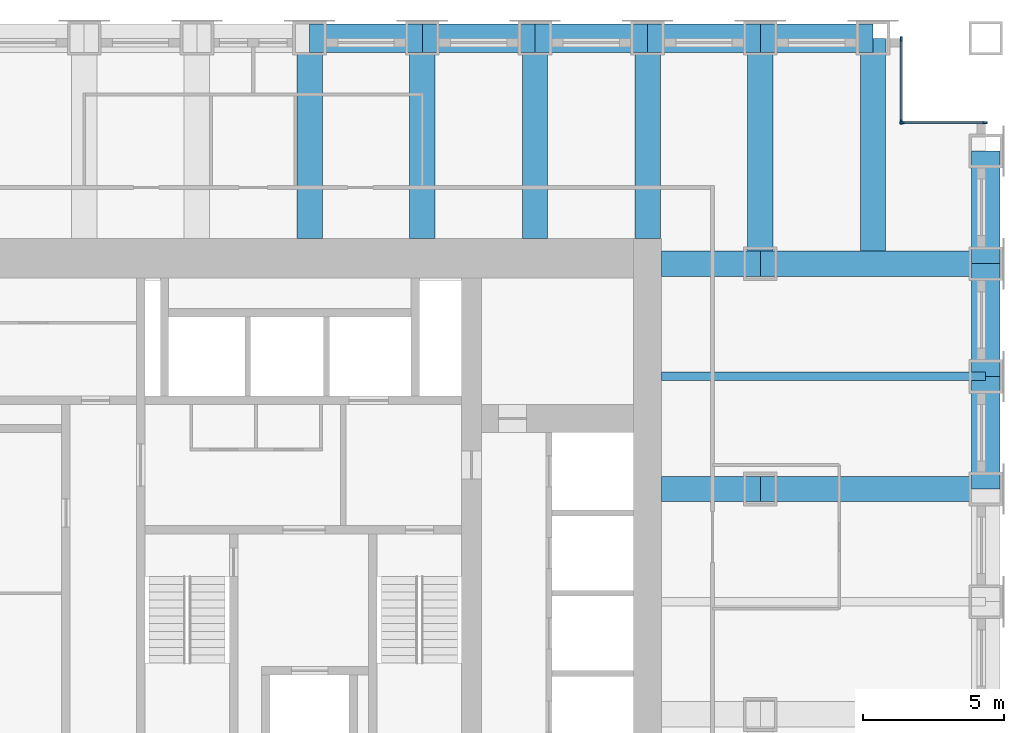
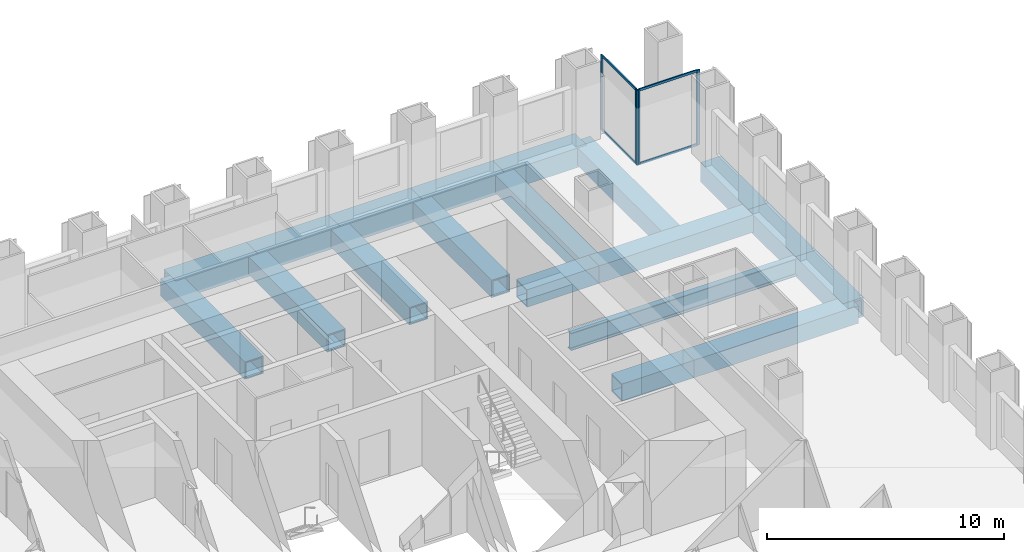
# One storey, part 7 of 15: 19 beams, 8 members, 2 elements without a shape of their own.
"""IFC4 building model written with IfcOpenShell, lengths in metres."""

from ifc_helpers import new_model, si_unit, direction, frame, origin, origin_2d, place, context, subcontext, project, spatial, rectangle, hollow_rectangle, i_section, extrude, material, material_profile, profile_set, type_object, element, aggregate, save


model = new_model("IFC4")

# Units and contexts
model_context = context("Model", 3, precision=1e-05, world=origin(), true_north=direction((0.0, 1.0)))
body_context = subcontext(model_context, "Body", "Model", "MODEL_VIEW")
ifc_project = project(units=[si_unit("LENGTHUNIT", "METRE"), si_unit("AREAUNIT", "SQUARE_METRE"), si_unit("VOLUMEUNIT", "CUBIC_METRE"), si_unit("PLANEANGLEUNIT", "RADIAN"), si_unit("MASSUNIT", "GRAM", prefix="KILO")], contexts=[model_context])

# Site, building, storey
site_placement = place(None, origin())
site = spatial("IfcSite", under=ifc_project, at=site_placement, CompositionType="ELEMENT")
building_placement = place(site_placement, origin())
building = spatial("IfcBuilding", under=site, at=building_placement, Name="Rimbunsela Tower", CompositionType="ELEMENT")
storey_placement = place(building_placement, frame((0.0, 0.0, 31.0)))
storey = spatial("IfcBuildingStorey", under=building, at=storey_placement, Name="L07", CompositionType="ELEMENT", Elevation=31.0)

# Beams
ifc_material_1 = material(Name="Steel BJ 55 (fy 410 MPa)", Category="steel")
ifc_material_profile_1 = material_profile(ifc_material_1, hollow_rectangle(XDim=1.0, YDim=1.0, WallThickness=0.10009765625, at=origin_2d()), Name="BOX 1000x1000x100")
ifc_profile_set_1 = profile_set([ifc_material_profile_1], Name="Steel BJ 55 (fy 410 MPa)")
beam_type_1 = type_object("IfcBeamType", Name="Beam BOX 1000x1000x100", PredefinedType="BEAM", material=ifc_profile_set_1)
for number, where, z_axis, x_axis, name in (
    (1, (30.0, 44.0, -0.64990234375), (1.0, 0.0, 0.0), (0.0, 1.0, 0.0), "Beam B3 L07"),
    (2, (34.0, 44.0, -0.64990234375), (1.0, 0.0, 0.0), (0.0, 1.0, 0.0), "Beam B3 L07"),
    (3, (38.0, 44.0, -0.64990234375), (1.0, 0.0, 0.0), (0.0, 1.0, 0.0), "Beam B3 L07"),
    (4, (42.0, 44.0, -0.64990234375), (1.0, 0.0, 0.0), (0.0, 1.0, 0.0), "Beam B3 L07"),
    (5, (46.0, 44.0, -0.64990234375), (1.0, 0.0, 0.0), (0.0, 1.0, 0.0), "Beam B3 L07"),
    (6, (54.0, 28.0, -0.64990234375), (0.0, 1.0, 0.0), (-1.0, 0.0, 0.0), "Beam B3 L07"),
    (7, (54.0, 32.0, -0.64990234375), (0.0, 1.0, 0.0), (-1.0, 0.0, 0.0), "Beam B3 L07"),
    (8, (54.0, 36.0, -0.64990234375), (0.0, 1.0, 0.0), (-1.0, 0.0, 0.0), "Beam B3 L07"),
):
    element("IfcBeam", number, at=place(storey_placement, frame(where, z_axis=z_axis, x_axis=x_axis)), inside=storey, type_object=beam_type_1, Name=name, PredefinedType="BEAM", context=body_context, shape_type="SweptSolid", body=[
        extrude(hollow_rectangle(XDim=1.0, YDim=1.0, WallThickness=0.10009765625, at=origin_2d()), origin(), (0.0, 0.0, 1.0), 4.0),
    ])
ifc_material_2 = material(Name="Steel BJ 55 (fy 410 MPa)", Category="steel")
ifc_material_profile_2 = material_profile(ifc_material_2, hollow_rectangle(XDim=0.89990234375, YDim=0.89990234375, WallThickness=0.06005859375, at=origin_2d()), Name="BOX 900x900x60")
ifc_profile_set_2 = profile_set([ifc_material_profile_2], Name="Steel BJ 55 (fy 410 MPa)")
beam_type_2 = type_object("IfcBeamType", Name="Beam BOX 900x900x60", PredefinedType="BEAM", material=ifc_profile_set_2)
for number, where, z_axis, x_axis, name in (
    (9, (30.0, 36.89990234375, -0.60009765625), (0.0, 1.0, 0.0), (-1.0, 0.0, 0.0), "Beam B1 L07"),
    (10, (34.0, 36.89990234375, -0.60009765625), (0.0, 1.0, 0.0), (-1.0, 0.0, 0.0), "Beam B1 L07"),
    (11, (38.0, 36.89990234375, -0.60009765625), (0.0, 1.0, 0.0), (-1.0, 0.0, 0.0), "Beam B1 L07"),
    (12, (42.0, 36.89990234375, -0.60009765625), (0.0, 1.0, 0.0), (-1.0, 0.0, 0.0), "Beam B1 L07"),
):
    element("IfcBeam", number, at=place(storey_placement, frame(where, z_axis=z_axis, x_axis=x_axis)), inside=storey, type_object=beam_type_2, Name=name, PredefinedType="BEAM", context=body_context, shape_type="SweptSolid", body=[
        extrude(hollow_rectangle(XDim=0.89990234375, YDim=0.89990234375, WallThickness=0.06005859375, at=origin_2d()), origin(), (0.0, 0.0, 1.0), 7.10009765625),
    ])
for number, where, z_axis, x_axis, name in (
    (13, (42.5, 28.0, -0.60009765625), (1.0, 0.0, 0.0), (0.0, 1.0, 0.0), "Beam B1 L07"),
    (14, (42.5, 36.0, -0.60009765625), (1.0, 0.0, 0.0), (0.0, 1.0, 0.0), "Beam B1 L07"),
):
    element("IfcBeam", number, at=place(storey_placement, frame(where, z_axis=z_axis, x_axis=x_axis)), inside=storey, type_object=beam_type_2, Name=name, PredefinedType="BEAM", context=body_context, shape_type="SweptSolid", body=[
        extrude(hollow_rectangle(XDim=0.89990234375, YDim=0.89990234375, WallThickness=0.06005859375, at=origin_2d()), origin(), (0.0, 0.0, 1.0), 3.5),
    ])
for number, where, z_axis, x_axis, name in (
    (15, (46.0, 28.0, -0.60009765625), (1.0, 0.0, 0.0), (0.0, 1.0, 0.0), "Beam B1 L07"),
    (16, (46.0, 36.0, -0.60009765625), (0.0, 1.0, 0.0), (-1.0, 0.0, 0.0), "Beam B1 L07"),
    (17, (46.0, 36.0, -0.60009765625), (1.0, 0.0, 0.0), (0.0, 1.0, 0.0), "Beam B1 L07"),
):
    element("IfcBeam", number, at=place(storey_placement, frame(where, z_axis=z_axis, x_axis=x_axis)), inside=storey, type_object=beam_type_2, Name=name, PredefinedType="BEAM", context=body_context, shape_type="SweptSolid", body=[
        extrude(hollow_rectangle(XDim=0.89990234375, YDim=0.89990234375, WallThickness=0.06005859375, at=origin_2d()), origin(), (0.0, 0.0, 1.0), 8.0),
    ])
beam_1_placement = place(storey_placement, frame((50.0, 36.449951171875, -0.60009765625), z_axis=(0.0, 1.0, 0.0), x_axis=(-1.0, 0.0, 0.0)))
element("IfcBeam", 18, at=beam_1_placement, inside=storey, type_object=beam_type_2, Name="Beam B1 L07", PredefinedType="BEAM", context=body_context, shape_type="SweptSolid", body=[
    extrude(hollow_rectangle(XDim=0.89990234375, YDim=0.89990234375, WallThickness=0.06005859375, at=origin_2d()), origin(), (0.0, 0.0, 1.0), 7.550048828125),
])
ifc_material_3 = material(Name="Steel BJ 55 (fy 410 MPa)", Category="steel")
ifc_material_profile_3 = material_profile(ifc_material_3, i_section(OverallWidth=0.300048828125, OverallDepth=0.89990234375, WebThickness=0.01611328125, FlangeThickness=0.028076171875, FilletRadius=0.028076171875, at=origin_2d()), Name="H 900x300x16x28")
ifc_profile_set_3 = profile_set([ifc_material_profile_3], Name="Steel BJ 55 (fy 410 MPa)")
beam_type_3 = type_object("IfcBeamType", Name="Beam H 900x300x16x28", PredefinedType="BEAM", material=ifc_profile_set_3)
beam_2_placement = place(storey_placement, frame((42.5, 32.0, -0.60009765625), z_axis=(1.0, 0.0, 0.0), x_axis=(0.0, 1.0, 0.0)))
element("IfcBeam", 19, at=beam_2_placement, inside=storey, type_object=beam_type_3, Name="Beam B2 L07", PredefinedType="BEAM", context=body_context, shape_type="SweptSolid", body=[
    extrude(i_section(OverallWidth=0.300048828125, OverallDepth=0.89990234375, WebThickness=0.01611328125, FlangeThickness=0.028076171875, FilletRadius=0.028076171875, at=origin_2d()), origin(), (0.0, 0.0, 1.0), 11.5),
])

# Curtain wall, members
ifc_material_4 = material(Name="Aluminium curtain wall", Category="aluminium")
curtain_wall_type = type_object("IfcCurtainWallType", Name="Corner glazing", PredefinedType="USERDEFINED", material=ifc_material_4)
curtain_wall_1_placement = place(storey_placement, origin())
curtain_wall_1 = element("IfcCurtainWall", 20, at=curtain_wall_1_placement, inside=storey, type_object=curtain_wall_type, Name="Corner glazing L07", ObjectType="CORNER GLAZING", PredefinedType="USERDEFINED")
ifc_material_5 = material(Name="Aluminium mullion", Category="aluminium")
ifc_material_profile_4 = material_profile(ifc_material_5, rectangle(XDim=0.06005859375, YDim=0.159912109375, at=origin_2d()), Name="Mullion 60x160")
ifc_profile_set_4 = profile_set([ifc_material_profile_4], Name="Aluminium mullion")
member_type_1 = type_object("IfcMemberType", Name="Curtain wall mullion 60x160", PredefinedType="MULLION", material=ifc_profile_set_4)
member_1_placement = place(storey_placement, frame((53.969970703125, 41.0, 0.0), z_axis=(0.0, 0.0, 1.0), x_axis=(0.0, -1.0, 0.0)))
member_1 = element("IfcMember", 21, at=member_1_placement, type_object=member_type_1, Name="CW5 mullion 1", PredefinedType="MULLION", context=body_context, shape_type="SweptSolid", body=[
    extrude(rectangle(XDim=0.06005859375, YDim=0.159912109375, at=origin_2d()), origin(), (0.0, 0.0, 1.0), 3.85009765625),
])
member_2_placement = place(storey_placement, frame((51.030029296875, 41.0, 0.0), z_axis=(0.0, 0.0, 1.0), x_axis=(0.0, -1.0, 0.0)))
member_2 = element("IfcMember", 22, at=member_2_placement, type_object=member_type_1, Name="CW5 mullion 2", PredefinedType="MULLION", context=body_context, shape_type="SweptSolid", body=[
    extrude(rectangle(XDim=0.06005859375, YDim=0.159912109375, at=origin_2d()), origin(), (0.0, 0.0, 1.0), 3.85009765625),
])

curtain_wall_2_placement = place(storey_placement, origin())
curtain_wall_2 = element("IfcCurtainWall", 23, at=curtain_wall_2_placement, inside=storey, type_object=curtain_wall_type, Name="Corner glazing L07", ObjectType="CORNER GLAZING", PredefinedType="USERDEFINED")
member_3_placement = place(storey_placement, frame((51.0, 41.030029296875, 0.0), z_axis=(0.0, 0.0, 1.0), x_axis=(-1.0, 0.0, 0.0)))
member_3 = element("IfcMember", 24, at=member_3_placement, type_object=member_type_1, Name="CW5 mullion 1", PredefinedType="MULLION", context=body_context, shape_type="SweptSolid", body=[
    extrude(rectangle(XDim=0.06005859375, YDim=0.159912109375, at=origin_2d()), origin(), (0.0, 0.0, 1.0), 3.85009765625),
])
member_4_placement = place(storey_placement, frame((51.0, 43.969970703125, 0.0), z_axis=(0.0, 0.0, 1.0), x_axis=(-1.0, 0.0, 0.0)))
member_4 = element("IfcMember", 25, at=member_4_placement, type_object=member_type_1, Name="CW5 mullion 2", PredefinedType="MULLION", context=body_context, shape_type="SweptSolid", body=[
    extrude(rectangle(XDim=0.06005859375, YDim=0.159912109375, at=origin_2d()), origin(), (0.0, 0.0, 1.0), 3.85009765625),
])

# Member
ifc_material_6 = material(Name="Aluminium transom", Category="aluminium")
ifc_material_profile_5 = material_profile(ifc_material_6, rectangle(XDim=0.06005859375, YDim=0.1201171875, at=origin_2d()), Name="Transom 60x120")
ifc_profile_set_5 = profile_set([ifc_material_profile_5], Name="Aluminium transom")
member_type_2 = type_object("IfcMemberType", Name="Curtain wall transom 60x120", PredefinedType="USERDEFINED", material=ifc_profile_set_5)
member_5_placement = place(storey_placement, frame((53.93994140625, 41.0, 0.030029296875), z_axis=(-1.0, 0.0, 0.0), x_axis=(0.0, -1.0, 0.0)))
member_5 = element("IfcMember", 26, at=member_5_placement, type_object=member_type_2, Name="CW5 transom 1.1", ObjectType="TRANSOM", PredefinedType="USERDEFINED", context=body_context, shape_type="SweptSolid", body=[
    extrude(rectangle(XDim=0.06005859375, YDim=0.1201171875, at=origin_2d()), origin(), (0.0, 0.0, 1.0), 2.8798828125),
])

member_6_placement = place(storey_placement, frame((53.93994140625, 41.0, 3.820068359375), z_axis=(-1.0, 0.0, 0.0), x_axis=(0.0, -1.0, 0.0)))
member_6 = element("IfcMember", 27, at=member_6_placement, type_object=member_type_2, Name="CW5 transom 1.2", ObjectType="TRANSOM", PredefinedType="USERDEFINED", context=body_context, shape_type="SweptSolid", body=[
    extrude(rectangle(XDim=0.06005859375, YDim=0.1201171875, at=origin_2d()), origin(), (0.0, 0.0, 1.0), 2.8798828125),
])

aggregate(curtain_wall_1, [member_1, member_2, member_5, member_6])

member_7_placement = place(storey_placement, frame((51.0, 41.06005859375, 0.030029296875), z_axis=(0.0, 1.0, 0.0), x_axis=(-1.0, 0.0, 0.0)))
member_7 = element("IfcMember", 28, at=member_7_placement, type_object=member_type_2, Name="CW5 transom 1.1", ObjectType="TRANSOM", PredefinedType="USERDEFINED", context=body_context, shape_type="SweptSolid", body=[
    extrude(rectangle(XDim=0.06005859375, YDim=0.1201171875, at=origin_2d()), origin(), (0.0, 0.0, 1.0), 2.8798828125),
])

member_8_placement = place(storey_placement, frame((51.0, 41.06005859375, 3.820068359375), z_axis=(0.0, 1.0, 0.0), x_axis=(-1.0, 0.0, 0.0)))
member_8 = element("IfcMember", 29, at=member_8_placement, type_object=member_type_2, Name="CW5 transom 1.2", ObjectType="TRANSOM", PredefinedType="USERDEFINED", context=body_context, shape_type="SweptSolid", body=[
    extrude(rectangle(XDim=0.06005859375, YDim=0.1201171875, at=origin_2d()), origin(), (0.0, 0.0, 1.0), 2.8798828125),
])

aggregate(curtain_wall_2, [member_3, member_4, member_7, member_8])

save(model, "model.ifc")
